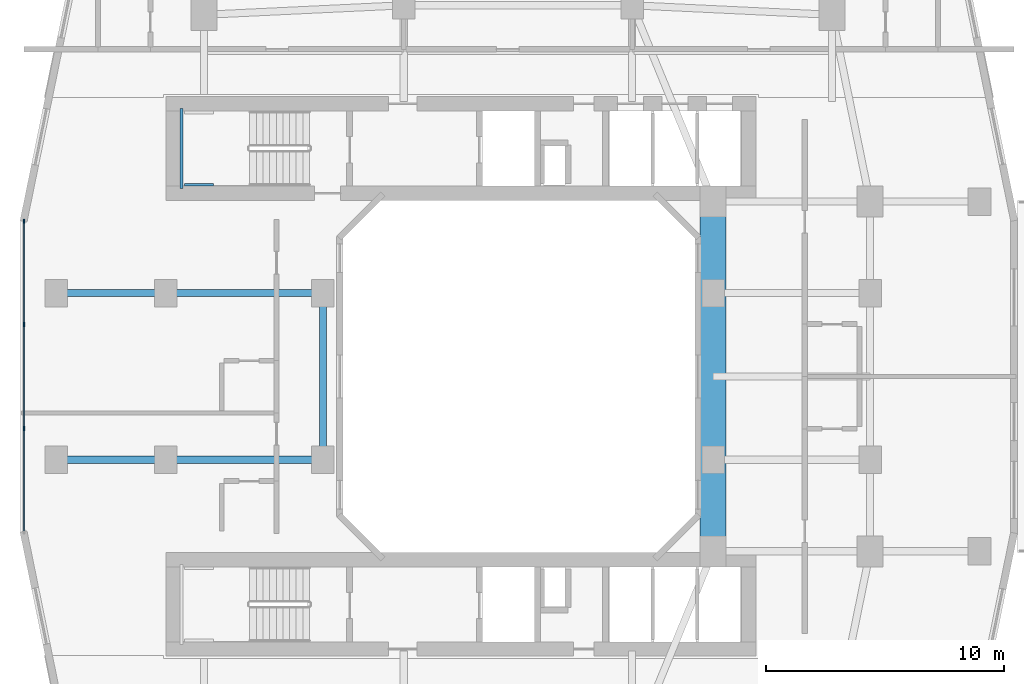
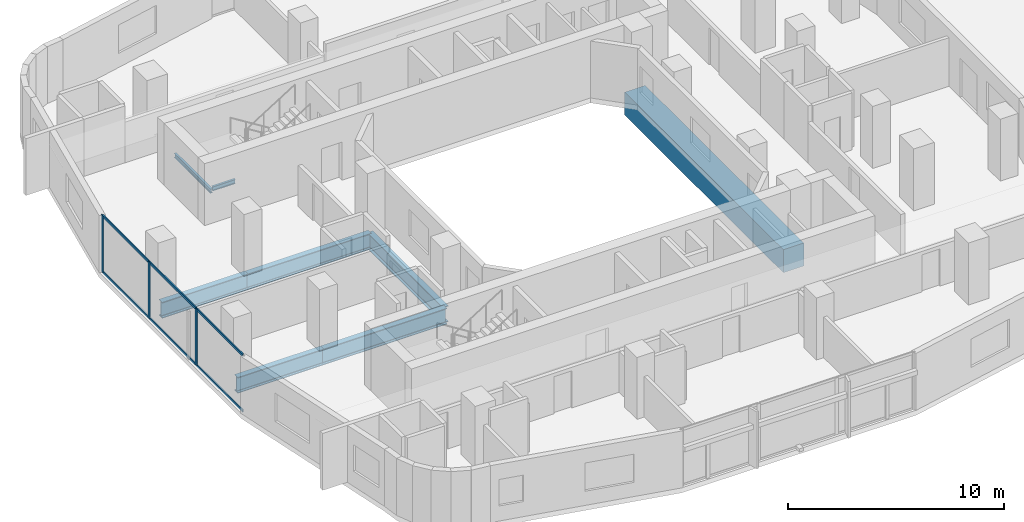
# One storey, part 3 of 25: 9 members, 8 beams, 1 element without a shape of its own.
"""IFC4 building model written with IfcOpenShell, lengths in metres."""

from ifc_helpers import new_model, si_unit, derived_unit, direction, frame, origin, origin_2d, place, context, subcontext, project, spatial, rectangle, i_section, extrude, material, layer, layer_set, material_profile, profile_set, type_object, element, aggregate, save


model = new_model("IFC4")

# Units and contexts
model_context = context("Model", 3, precision=1e-05, world=origin(), true_north=direction((0.0, 1.0)))
body_context = subcontext(model_context, "Body", "Model", "MODEL_VIEW")
ifc_project = project(units=[si_unit("LENGTHUNIT", "METRE"), si_unit("AREAUNIT", "SQUARE_METRE"), si_unit("VOLUMEUNIT", "CUBIC_METRE"), si_unit("PLANEANGLEUNIT", "RADIAN"), si_unit("MASSUNIT", "GRAM", prefix="KILO"), derived_unit("THERMALTRANSMITTANCEUNIT", [(si_unit("POWERUNIT", "WATT"), 1), (si_unit("LENGTHUNIT", "METRE"), -2), (si_unit("THERMODYNAMICTEMPERATUREUNIT", "KELVIN"), -1)])], contexts=[model_context])

# Site, building, storey
site_placement = place(None, origin())
site = spatial("IfcSite", under=ifc_project, at=site_placement, CompositionType="ELEMENT")
building_placement = place(site_placement, origin())
building = spatial("IfcBuilding", under=site, at=building_placement, Name="Kivonza Crest Hotel", CompositionType="ELEMENT")
storey_placement = place(building_placement, frame((0.0, 0.0, 24.0)))
storey = spatial("IfcBuildingStorey", under=building, at=storey_placement, Name="L05", CompositionType="ELEMENT", Elevation=24.0)

# Beams
ifc_material_1 = material(Name="Steel S355", Category="steel")
ifc_material_profile_1 = material_profile(ifc_material_1, i_section(OverallWidth=0.300048828125, OverallDepth=0.89990234375, WebThickness=0.0185546875, FlangeThickness=0.034912109375, FilletRadius=0.030029296875, at=origin_2d()), Name="HEB 900")
ifc_profile_set_1 = profile_set([ifc_material_profile_1], Name="Steel S355")
beam_type_1 = type_object("IfcBeamType", Name="BM-HEB900", PredefinedType="BEAM", material=ifc_profile_set_1)
for number, where, z_axis, x_axis, name in (
    (1, (6.199951171875, 21.5, -0.72998046875), (1.0, 0.0, 0.0), (0.0, 1.0, 0.0), "Tower T1 L05 primary girder W1-WL1"),
    (2, (6.199951171875, 28.5, -0.72998046875), (1.0, 0.0, 0.0), (0.0, 1.0, 0.0), "Tower T1 L05 primary girder W2-WL2"),
):
    element("IfcBeam", number, at=place(storey_placement, frame(where, z_axis=z_axis, x_axis=x_axis)), inside=storey, type_object=beam_type_1, Name=name, PredefinedType="BEAM", context=body_context, shape_type="SweptSolid", body=[
        extrude(i_section(OverallWidth=0.300048828125, OverallDepth=0.89990234375, WebThickness=0.0185546875, FlangeThickness=0.034912109375, FilletRadius=0.030029296875, at=origin_2d()), origin(), (0.0, 0.0, 1.0), 6.60009765625),
    ])
beam_1_placement = place(storey_placement, frame((12.800048828125, 21.5, -0.72998046875), z_axis=(0.0, 1.0, 0.0), x_axis=(-1.0, 0.0, 0.0)))
element("IfcBeam", 3, at=beam_1_placement, inside=storey, type_object=beam_type_1, Name="Tower T1 L05 primary girder WL1-WL2", PredefinedType="BEAM", context=body_context, shape_type="SweptSolid", body=[
    extrude(i_section(OverallWidth=0.300048828125, OverallDepth=0.89990234375, WebThickness=0.0185546875, FlangeThickness=0.034912109375, FilletRadius=0.030029296875, at=origin_2d()), origin(), (0.0, 0.0, 1.0), 7.0),
])
for number, where, z_axis, x_axis, name in (
    (4, (1.60009765625, 21.5, -0.72998046875), (1.0, 0.0, 0.0), (0.0, 1.0, 0.0), "Tower T1 L05 outer bay girder ZW1"),
    (5, (1.60009765625, 28.5, -0.72998046875), (1.0, 0.0, 0.0), (0.0, 1.0, 0.0), "Tower T1 L05 outer bay girder ZW2"),
):
    element("IfcBeam", number, at=place(storey_placement, frame(where, z_axis=z_axis, x_axis=x_axis)), inside=storey, type_object=beam_type_1, Name=name, PredefinedType="BEAM", context=body_context, shape_type="SweptSolid", body=[
        extrude(i_section(OverallWidth=0.300048828125, OverallDepth=0.89990234375, WebThickness=0.0185546875, FlangeThickness=0.034912109375, FilletRadius=0.030029296875, at=origin_2d()), origin(), (0.0, 0.0, 1.0), 4.599853515625),
    ])
ifc_material_profile_2 = material_profile(ifc_material_1, i_section(OverallWidth=0.1201171875, OverallDepth=0.239990234375, WebThickness=0.006103515625, FlangeThickness=0.009765625, FilletRadius=0.014892578125, at=origin_2d()), Name="IPE 240")
ifc_profile_set_2 = profile_set([ifc_material_profile_2], Name="Steel S355")
beam_type_2 = type_object("IfcBeamType", Name="BM-LLDG-240", PredefinedType="BEAM", material=ifc_profile_set_2)
beam_2_placement = place(storey_placement, frame((6.860107421875, 32.89990234375, 1.429931640625), z_axis=(0.0, 1.0, 0.0), x_axis=(-1.0, 0.0, 0.0)))
element("IfcBeam", 6, at=beam_2_placement, inside=storey, type_object=beam_type_2, Name="Stair ST-T1-N L05 West landing corbel", PredefinedType="BEAM", context=body_context, shape_type="SweptSolid", body=[
    extrude(i_section(OverallWidth=0.1201171875, OverallDepth=0.239990234375, WebThickness=0.006103515625, FlangeThickness=0.009765625, FilletRadius=0.014892578125, at=origin_2d()), origin(), (0.0, 0.0, 1.0), 3.360107421875),
])
beam_3_placement = place(storey_placement, frame((6.989990234375, 33.06005859375, 1.429931640625), z_axis=(1.0, 0.0, 0.0), x_axis=(0.0, 1.0, 0.0)))
element("IfcBeam", 7, at=beam_3_placement, inside=storey, type_object=beam_type_2, Name="Stair ST-T1-N L05 South landing corbel", PredefinedType="BEAM", context=body_context, shape_type="SweptSolid", body=[
    extrude(i_section(OverallWidth=0.1201171875, OverallDepth=0.239990234375, WebThickness=0.006103515625, FlangeThickness=0.009765625, FilletRadius=0.014892578125, at=origin_2d()), origin(), (0.0, 0.0, 1.0), 1.2099609375),
])
ifc_material_2 = material(Name="Concrete C60/75", Category="concrete")
ifc_material_profile_3 = material_profile(ifc_material_2, rectangle(XDim=1.10009765625, YDim=1.300048828125, at=origin_2d()), Name="RC 1300x1100")
ifc_profile_set_3 = profile_set([ifc_material_profile_3], Name="Concrete C60/75")
beam_type_3 = type_object("IfcBeamType", Name="BM-RC-TRF-1300", PredefinedType="BEAM", material=ifc_profile_set_3)
beam_4_placement = place(storey_placement, frame((29.199951171875, 17.64990234375, -0.929931640625), z_axis=(0.0, 1.0, 0.0), x_axis=(-1.0, 0.0, 0.0)))
element("IfcBeam", 8, at=beam_4_placement, inside=storey, type_object=beam_type_3, Name="Transfer truss primary header girder L05 well line", PredefinedType="BEAM", context=body_context, shape_type="SweptSolid", body=[
    extrude(rectangle(XDim=1.10009765625, YDim=1.300048828125, at=origin_2d()), origin(), (0.0, 0.0, 1.0), 14.7001953125),
])

# Curtain wall, members
ifc_material_3 = material(Name="Anodised bronze aluminium and low-E double glazing", Category="aluminium")
ifc_layer = layer(ifc_material_3, 0.179931640625)
ifc_layer_set = layer_set([ifc_layer], Name="Anodised bronze aluminium and low-E double glazing")
curtain_wall_type = type_object("IfcCurtainWallType", Name="CW-SYS-2", PredefinedType="NOTDEFINED", material=ifc_layer_set)
curtain_wall_placement = place(storey_placement, origin())
curtain_wall = element("IfcCurtainWall", 9, at=curtain_wall_placement, inside=storey, type_object=curtain_wall_type, Name="L05 unitised curtain wall CW-T1-L05-35", PredefinedType="NOTDEFINED")
ifc_material_4 = material(Name="Anodised bronze aluminium", Category="aluminium")
ifc_material_profile_4 = material_profile(ifc_material_4, rectangle(XDim=0.06494140625, YDim=0.179931640625, at=origin_2d()), Name="CW-M 65x180")
ifc_profile_set_4 = profile_set([ifc_material_profile_4], Name="Anodised bronze aluminium")
member_type_1 = type_object("IfcMemberType", Name="CW-MUL-65x180", PredefinedType="MULLION", material=ifc_profile_set_4)
member_1_placement = place(storey_placement, frame((0.239990234375, 31.527587890625, 0.0), z_axis=(0.0, 0.0, 1.0), x_axis=(1.0, 0.0, 0.0)))
member_1 = element("IfcMember", 10, at=member_1_placement, type_object=member_type_1, Name="CW-2 mullion 1", PredefinedType="MULLION", context=body_context, shape_type="SweptSolid", body=[
    extrude(rectangle(XDim=0.06494140625, YDim=0.179931640625, at=origin_2d()), origin(), (0.0, 0.0, 1.0), 3.219970703125),
])
member_2_placement = place(storey_placement, frame((0.239990234375, 27.186767578125, 0.0), z_axis=(0.0, 0.0, 1.0), x_axis=(1.0, 0.0, 0.0)))
member_2 = element("IfcMember", 11, at=member_2_placement, type_object=member_type_1, Name="CW-2 mullion 2", PredefinedType="MULLION", context=body_context, shape_type="SweptSolid", body=[
    extrude(rectangle(XDim=0.06494140625, YDim=0.179931640625, at=origin_2d()), origin(), (0.0, 0.0, 1.0), 3.219970703125),
])
member_3_placement = place(storey_placement, frame((0.239990234375, 22.813232421875, 0.0), z_axis=(0.0, 0.0, 1.0), x_axis=(1.0, 0.0, 0.0)))
member_3 = element("IfcMember", 12, at=member_3_placement, type_object=member_type_1, Name="CW-2 mullion 3", PredefinedType="MULLION", context=body_context, shape_type="SweptSolid", body=[
    extrude(rectangle(XDim=0.06494140625, YDim=0.179931640625, at=origin_2d()), origin(), (0.0, 0.0, 1.0), 3.219970703125),
])
ifc_material_profile_5 = material_profile(ifc_material_4, rectangle(XDim=0.06494140625, YDim=0.139892578125, at=origin_2d()), Name="CW-T 65x140")
ifc_profile_set_5 = profile_set([ifc_material_profile_5], Name="Anodised bronze aluminium")
member_type_2 = type_object("IfcMemberType", Name="CW-TRN-65x140", PredefinedType="USERDEFINED", material=ifc_profile_set_5)
member_4_placement = place(storey_placement, frame((0.239990234375, 31.4951171875, 0.032470703125), z_axis=(0.0, -1.0, 0.0), x_axis=(1.0, 0.0, 0.0)))
member_4 = element("IfcMember", 13, at=member_4_placement, type_object=member_type_2, Name="CW-2 transom 1.1", ObjectType="TRANSOM", PredefinedType="USERDEFINED", context=body_context, shape_type="SweptSolid", body=[
    extrude(rectangle(XDim=0.06494140625, YDim=0.139892578125, at=origin_2d()), origin(), (0.0, 0.0, 1.0), 4.27587890625),
])
member_5_placement = place(storey_placement, frame((0.239990234375, 31.4951171875, 3.1875), z_axis=(0.0, -1.0, 0.0), x_axis=(1.0, 0.0, 0.0)))
member_5 = element("IfcMember", 14, at=member_5_placement, type_object=member_type_2, Name="CW-2 transom 1.2", ObjectType="TRANSOM", PredefinedType="USERDEFINED", context=body_context, shape_type="SweptSolid", body=[
    extrude(rectangle(XDim=0.06494140625, YDim=0.139892578125, at=origin_2d()), origin(), (0.0, 0.0, 1.0), 4.27587890625),
])
member_6_placement = place(storey_placement, frame((0.239990234375, 27.154052734375, 0.032470703125), z_axis=(0.0, -1.0, 0.0), x_axis=(1.0, 0.0, 0.0)))
member_6 = element("IfcMember", 15, at=member_6_placement, type_object=member_type_2, Name="CW-2 transom 2.1", ObjectType="TRANSOM", PredefinedType="USERDEFINED", context=body_context, shape_type="SweptSolid", body=[
    extrude(rectangle(XDim=0.06494140625, YDim=0.139892578125, at=origin_2d()), origin(), (0.0, 0.0, 1.0), 4.30810546875),
])
member_7_placement = place(storey_placement, frame((0.239990234375, 27.154052734375, 3.1875), z_axis=(0.0, -1.0, 0.0), x_axis=(1.0, 0.0, 0.0)))
member_7 = element("IfcMember", 16, at=member_7_placement, type_object=member_type_2, Name="CW-2 transom 2.2", ObjectType="TRANSOM", PredefinedType="USERDEFINED", context=body_context, shape_type="SweptSolid", body=[
    extrude(rectangle(XDim=0.06494140625, YDim=0.139892578125, at=origin_2d()), origin(), (0.0, 0.0, 1.0), 4.30810546875),
])
member_8_placement = place(storey_placement, frame((0.239990234375, 22.78076171875, 0.032470703125), z_axis=(0.0, -1.0, 0.0), x_axis=(1.0, 0.0, 0.0)))
member_8 = element("IfcMember", 17, at=member_8_placement, type_object=member_type_2, Name="CW-2 transom 3.1", ObjectType="TRANSOM", PredefinedType="USERDEFINED", context=body_context, shape_type="SweptSolid", body=[
    extrude(rectangle(XDim=0.06494140625, YDim=0.139892578125, at=origin_2d()), origin(), (0.0, 0.0, 1.0), 4.27587890625),
])
member_9_placement = place(storey_placement, frame((0.239990234375, 22.78076171875, 3.1875), z_axis=(0.0, -1.0, 0.0), x_axis=(1.0, 0.0, 0.0)))
member_9 = element("IfcMember", 18, at=member_9_placement, type_object=member_type_2, Name="CW-2 transom 3.2", ObjectType="TRANSOM", PredefinedType="USERDEFINED", context=body_context, shape_type="SweptSolid", body=[
    extrude(rectangle(XDim=0.06494140625, YDim=0.139892578125, at=origin_2d()), origin(), (0.0, 0.0, 1.0), 4.27587890625),
])
aggregate(curtain_wall, [member_1, member_2, member_3, member_4, member_5, member_6, member_7, member_8, member_9])

save(model, "model.ifc")
